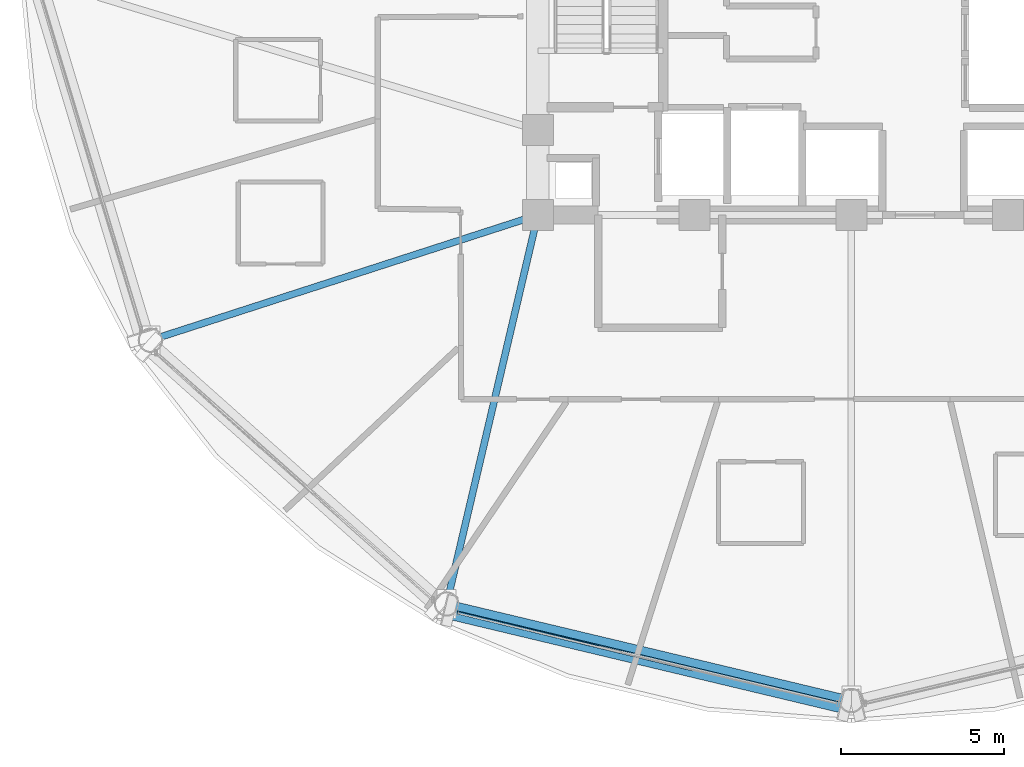
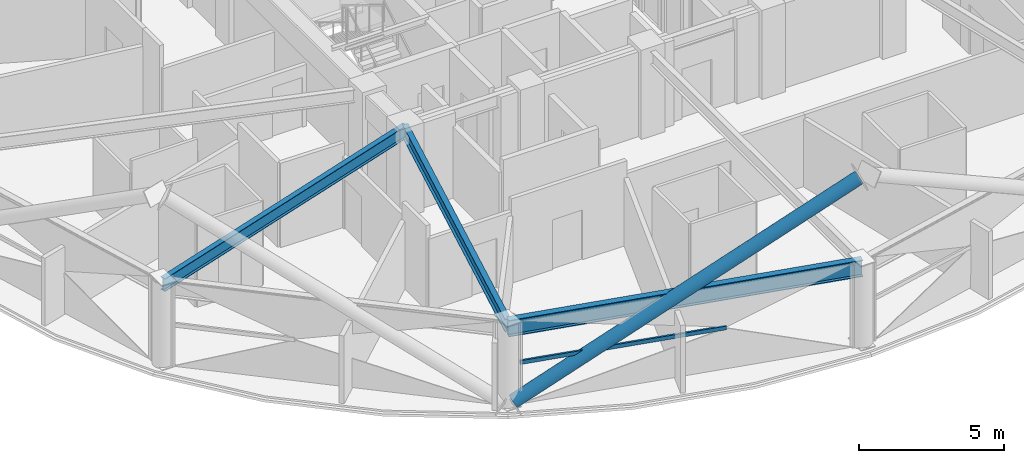
# One storey, part 3 of 29: 3 beams, 2 members, 1 element without a shape of its own.
"""IFC4 building model written with IfcOpenShell, lengths in metres."""

from ifc_helpers import new_model, si_unit, direction, frame, origin, origin_2d, place, context, subcontext, project, spatial, hollow_rectangle, hollow_circle, i_section, extrude, material, layer, layer_set, material_profile, profile_set, type_object, element, aggregate, save


model = new_model("IFC4")

# Units and contexts
model_context = context("Model", 3, precision=1e-05, world=origin(), true_north=direction((0.0, 1.0)))
body_context = subcontext(model_context, "Body", "Model", "MODEL_VIEW")
ifc_project = project(units=[si_unit("LENGTHUNIT", "METRE"), si_unit("AREAUNIT", "SQUARE_METRE"), si_unit("VOLUMEUNIT", "CUBIC_METRE"), si_unit("PLANEANGLEUNIT", "RADIAN"), si_unit("MASSUNIT", "GRAM", prefix="KILO")], contexts=[model_context])

# Site, building, storey
site_placement = place(None, origin())
site = spatial("IfcSite", under=ifc_project, at=site_placement, CompositionType="ELEMENT")
building_placement = place(site_placement, origin())
building = spatial("IfcBuilding", under=site, at=building_placement, Name="Vantalir Tower", CompositionType="ELEMENT")
storey_placement = place(building_placement, frame((0.0, 0.0, 149.699951171875)))
storey = spatial("IfcBuildingStorey", under=building, at=storey_placement, Name="L37", CompositionType="ELEMENT", Elevation=149.699951171875)

# Beams
ifc_material_1 = material(Name="Steel S355", Category="steel")
ifc_material_profile_1 = material_profile(ifc_material_1, i_section(OverallWidth=0.2109375, OverallDepth=0.5390625, WebThickness=0.01171875, FlangeThickness=0.018798828125, at=origin_2d()), Name="Steel S355")
ifc_profile_set_1 = profile_set([ifc_material_profile_1], Name="Steel S355")
beam_type_1 = type_object("IfcBeamType", Name="BM-RB-533x210", PredefinedType="BEAM", material=ifc_profile_set_1)
beam_1_placement = place(storey_placement, frame((10.037109375, 13.965087890625, 3.301025390625), z_axis=(0.95151500296, 0.307602339298, 0.0), x_axis=(-0.307602339298, 0.95151500296, 0.0)))
element("IfcBeam", 1, at=beam_1_placement, inside=storey, type_object=beam_type_1, Name="L37 Radial Floor Beam 08", PredefinedType="BEAM", context=body_context, shape_type="SweptSolid", body=[
    extrude(i_section(OverallWidth=0.2109375, OverallDepth=0.5390625, WebThickness=0.01171875, FlangeThickness=0.018798828125, at=origin_2d()), origin(), (0.0, 0.0, 1.0), 12.46728515625),
])
beam_2_placement = place(storey_placement, frame((19.10791015625, 5.887939453125, 3.301025390625), z_axis=(0.228198416036, 0.973614648061, 0.0), x_axis=(-0.973614648061, 0.228198416036, 0.0)))
element("IfcBeam", 2, at=beam_2_placement, inside=storey, type_object=beam_type_1, Name="L37 Radial Floor Beam 09", PredefinedType="BEAM", context=body_context, shape_type="SweptSolid", body=[
    extrude(i_section(OverallWidth=0.2109375, OverallDepth=0.5390625, WebThickness=0.01171875, FlangeThickness=0.018798828125, at=origin_2d()), origin(), (0.0, 0.0, 1.0), 12.23486328125),
])
ifc_material_2 = material(Name="Steel S460", Category="steel")
ifc_material_profile_2 = material_profile(ifc_material_2, i_section(OverallWidth=0.256103515625, OverallDepth=0.693115234375, WebThickness=0.014404296875, FlangeThickness=0.023681640625, at=origin_2d()), Name="Steel S460")
ifc_profile_set_2 = profile_set([ifc_material_profile_2], Name="Steel S460")
beam_type_2 = type_object("IfcBeamType", Name="BM-RG-686x254", PredefinedType="USERDEFINED", material=ifc_profile_set_2)
beam_3_placement = place(storey_placement, frame((19.10791015625, 5.887939453125, 3.22412109375), z_axis=(0.972690538126, -0.232105831549, 0.0), x_axis=(0.232105831549, 0.972690538126, 0.0)))
element("IfcBeam", 3, at=beam_3_placement, inside=storey, type_object=beam_type_2, Name="L37 Circumferential Ring Girder 09", ObjectType="GIRDER", PredefinedType="USERDEFINED", context=body_context, shape_type="SweptSolid", body=[
    extrude(i_section(OverallWidth=0.256103515625, OverallDepth=0.693115234375, WebThickness=0.014404296875, FlangeThickness=0.023681640625, at=origin_2d()), origin(), (0.0, 0.0, 1.0), 12.739990234375),
])

# Curtain wall, member
ifc_material_3 = material(Name="Champagne-silver PVDF aluminium and double-silver Low-E glass", Category="aluminium")
ifc_layer = layer(ifc_material_3, 0.199951171875)
ifc_layer_set = layer_set([ifc_layer], Name="Champagne-silver PVDF aluminium and double-silver Low-E glass")
curtain_wall_type = type_object("IfcCurtainWallType", Name="CW-DIAMOND-Z2", PredefinedType="USERDEFINED", material=ifc_layer_set)
curtain_wall_placement = place(storey_placement, origin())
curtain_wall = element("IfcCurtainWall", 4, at=curtain_wall_placement, inside=storey, type_object=curtain_wall_type, Name="L37 Quilted Pyramid-Diamond Curtain Wall S09", ObjectType="UNITISED CURTAIN WALL", PredefinedType="USERDEFINED")
ifc_material_4 = material(Name="Champagne-silver PVDF aluminium 6063-T6", Category="aluminium")
ifc_material_profile_3 = material_profile(ifc_material_4, hollow_rectangle(XDim=0.074951171875, YDim=0.159912109375, WallThickness=0.00390625, at=origin_2d()), Name="Champagne-silver PVDF aluminium 6063-T6")
ifc_profile_set_3 = profile_set([ifc_material_profile_3], Name="Champagne-silver PVDF aluminium 6063-T6")
member_type_1 = type_object("IfcMemberType", Name="CWT-160x75", PredefinedType="USERDEFINED", material=ifc_profile_set_3)
member_1_placement = place(storey_placement, frame((19.44091796875, 5.62109375, 1.78515625), z_axis=(0.971875687696, -0.235494474807, 0.0), x_axis=(0.235494474807, 0.971875687696, 0.0)))
member_1 = element("IfcMember", 5, at=member_1_placement, type_object=member_type_1, Name="CW-L37-S09 Pyramid Fold Ridge Transom", ObjectType="TRANSOM", PredefinedType="USERDEFINED", context=body_context, shape_type="SweptSolid", body=[
    extrude(hollow_rectangle(XDim=0.074951171875, YDim=0.159912109375, WallThickness=0.00390625, at=origin_2d()), origin(), (0.0, 0.0, 1.0), 7.41455078125),
])
aggregate(curtain_wall, [member_1])

# Member
ifc_material_profile_4 = material_profile(ifc_material_2, hollow_circle(Radius=0.260009765625, WallThickness=0.0380859375, at=origin_2d()), Name="Steel S460")
ifc_profile_set_4 = profile_set([ifc_material_profile_4], Name="Steel S460")
member_type_2 = type_object("IfcMemberType", Name="MEM-DB-520x38", PredefinedType="BRACE", material=ifc_profile_set_4)
member_2_placement = place(storey_placement, frame((19.199951171875, 5.677978515625, 0.18701171875), z_axis=(0.849462914761, -0.202816440356, 0.487112151323), x_axis=(0.23223094532, 0.972660674663, 0.0)))
element("IfcMember", 6, at=member_2_placement, inside=storey, type_object=member_type_2, Name="L37 Perimeter S460 Diagrid Brace R25L", PredefinedType="BRACE", context=body_context, shape_type="SweptSolid", body=[
    extrude(hollow_circle(Radius=0.260009765625, WallThickness=0.0380859375, at=origin_2d()), origin(), (0.0, 0.0, 1.0), 14.259521484375),
])

save(model, "model.ifc")
